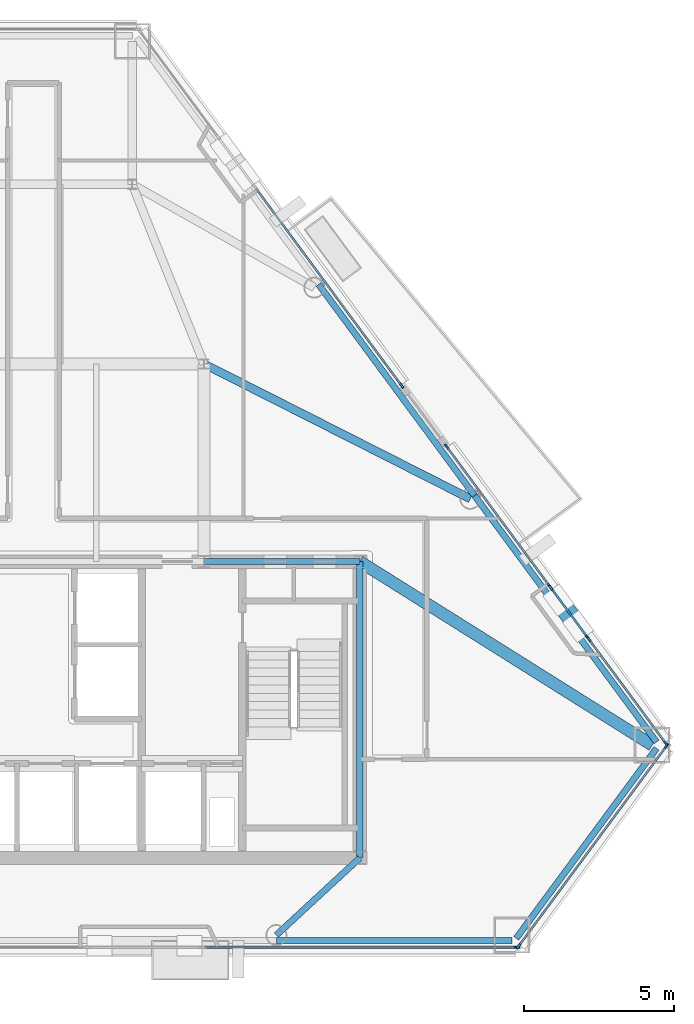
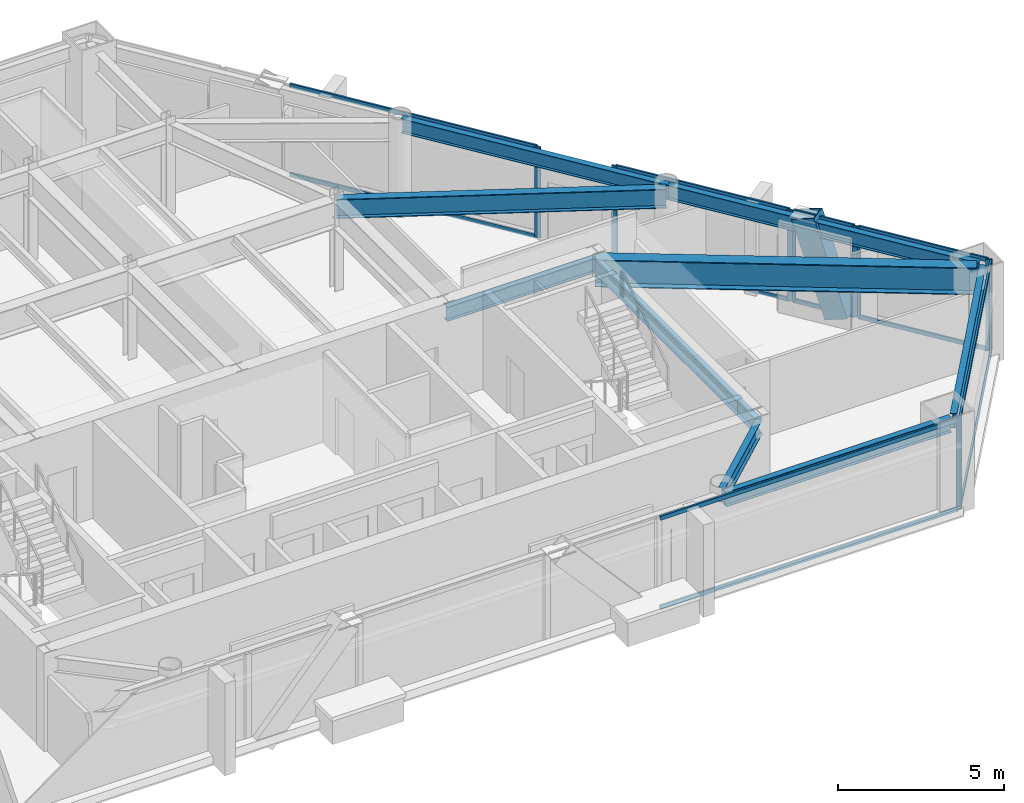
# One storey, part 5 of 11: 23 members, 9 beams, 6 elements without a shape of their own.
"""IFC4 building model written with IfcOpenShell, lengths in metres."""

from ifc_helpers import new_model, si_unit, direction, frame, origin, origin_2d, place, context, subcontext, project, spatial, rectangle, hollow_rectangle, i_section, extrude, material, layer, layer_set, material_profile, profile_set, type_object, element, aggregate, save


model = new_model("IFC4")

# Units and contexts
model_context = context("Model", 3, precision=1e-05, world=origin(), true_north=direction((0.0, 1.0)))
body_context = subcontext(model_context, "Body", "Model", "MODEL_VIEW")
ifc_project = project(units=[si_unit("LENGTHUNIT", "METRE"), si_unit("AREAUNIT", "SQUARE_METRE"), si_unit("VOLUMEUNIT", "CUBIC_METRE"), si_unit("PLANEANGLEUNIT", "RADIAN"), si_unit("MASSUNIT", "GRAM", prefix="KILO")], contexts=[model_context])

# Site, building, storey
site_placement = place(None, origin())
site = spatial("IfcSite", under=ifc_project, at=site_placement, CompositionType="ELEMENT")
building_placement = place(site_placement, origin())
building = spatial("IfcBuilding", under=site, at=building_placement, Name="Talgorran Terracotta Tower", CompositionType="ELEMENT")
storey_placement = place(building_placement, frame((0.0, 0.0, 143.699951171875)))
storey = spatial("IfcBuildingStorey", under=building, at=storey_placement, Name="L37", CompositionType="ELEMENT", Elevation=143.699951171875)

# Beams
ifc_material_1 = material(Name="Steel Grade 350 (350L0)", Category="steel")
ifc_material_profile_1 = material_profile(ifc_material_1, i_section(OverallWidth=0.39990234375, OverallDepth=1.0, WebThickness=0.01611328125, FlangeThickness=0.031005859375, at=origin_2d()), Name="1000WB296")
ifc_profile_set_1 = profile_set([ifc_material_profile_1], Name="Steel Grade 350 (350L0)")
beam_type_1 = type_object("IfcBeamType", Name="BM_1000WB296", PredefinedType="BEAM", material=ifc_profile_set_1)
beam_1_placement = place(storey_placement, frame((12.39990234375, -4.199951171875, 2.85009765625), z_axis=(0.846977550412, -0.531628657145, 0.0), x_axis=(0.531628657145, 0.846977550412, 0.0)))
element("IfcBeam", 1, at=beam_1_placement, inside=storey, type_object=beam_type_1, Name="L37 Floor Girder G18", PredefinedType="BEAM", context=body_context, shape_type="SweptSolid", body=[
    extrude(i_section(OverallWidth=0.39990234375, OverallDepth=1.0, WebThickness=0.01611328125, FlangeThickness=0.031005859375, at=origin_2d()), origin(), (0.0, 0.0, 1.0), 11.533203125),
])
ifc_material_2 = material(Name="Steel S355 (300PLUS)", Category="steel")
ifc_material_profile_2 = material_profile(ifc_material_2, i_section(OverallWidth=0.27490234375, OverallDepth=0.7080078125, WebThickness=0.011962890625, FlangeThickness=0.02490234375, at=origin_2d()), Name="700WB173")
ifc_profile_set_2 = profile_set([ifc_material_profile_2], Name="Steel S355 (300PLUS)")
beam_type_2 = type_object("IfcBeamType", Name="BM_700WB173", PredefinedType="BEAM", material=ifc_profile_set_2)
beam_2_placement = place(storey_placement, frame((7.199951171875, 2.39990234375, 2.99609375), z_axis=(0.892122666424, -0.451793258087, 0.0), x_axis=(0.451793258087, 0.892122666424, 0.0)))
element("IfcBeam", 2, at=beam_2_placement, inside=storey, type_object=beam_type_2, Name="L37 Floor Girder G07", PredefinedType="BEAM", context=body_context, shape_type="SweptSolid", body=[
    extrude(i_section(OverallWidth=0.27490234375, OverallDepth=0.7080078125, WebThickness=0.011962890625, FlangeThickness=0.02490234375, at=origin_2d()), origin(), (0.0, 0.0, 1.0), 9.966796875),
])
ifc_material_profile_3 = material_profile(ifc_material_2, i_section(OverallWidth=0.209228515625, OverallDepth=0.532958984375, WebThickness=0.01025390625, FlangeThickness=0.015625, at=origin_2d()), Name="530UB92.4")
ifc_profile_set_3 = profile_set([ifc_material_profile_3], Name="Steel S355 (300PLUS)")
beam_type_3 = type_object("IfcBeamType", Name="BM_SP_530UB92", PredefinedType="SPANDREL", material=ifc_profile_set_3)
beam_3_placement = place(storey_placement, frame((9.615966796875, -16.8544921875, 3.08349609375), z_axis=(1.0, 0.0, 0.0), x_axis=(0.0, 1.0, 0.0)))
element("IfcBeam", 3, at=beam_3_placement, inside=storey, type_object=beam_type_3, Name="L37 Perimeter Spandrel Beam FC2-MC3", PredefinedType="SPANDREL", context=body_context, shape_type="SweptSolid", body=[
    extrude(i_section(OverallWidth=0.209228515625, OverallDepth=0.532958984375, WebThickness=0.01025390625, FlangeThickness=0.015625, at=origin_2d()), origin(), (0.0, 0.0, 1.0), 7.86767578125),
])
beam_4_placement = place(storey_placement, frame((17.62841796875, -16.78125, 3.08349609375), z_axis=(0.594068918856, 0.804414146848, 0.0), x_axis=(-0.804414146848, 0.594068918856, 0.0)))
element("IfcBeam", 4, at=beam_4_placement, inside=storey, type_object=beam_type_3, Name="L37 Perimeter Spandrel Beam MC3-MC4", PredefinedType="SPANDREL", context=body_context, shape_type="SweptSolid", body=[
    extrude(i_section(OverallWidth=0.209228515625, OverallDepth=0.532958984375, WebThickness=0.01025390625, FlangeThickness=0.015625, at=origin_2d()), origin(), (0.0, 0.0, 1.0), 7.885498046875),
])
beam_5_placement = place(storey_placement, frame((22.31298828125, -10.224365234375, 3.08349609375), z_axis=(-0.594068215055, 0.804414666613, 0.0), x_axis=(-0.804414666613, -0.594068215055, 0.0)))
element("IfcBeam", 5, at=beam_5_placement, inside=storey, type_object=beam_type_3, Name="L37 Perimeter Spandrel Beam MC4-FC3", PredefinedType="SPANDREL", context=body_context, shape_type="SweptSolid", body=[
    extrude(i_section(OverallWidth=0.209228515625, OverallDepth=0.532958984375, WebThickness=0.01025390625, FlangeThickness=0.015625, at=origin_2d()), origin(), (0.0, 0.0, 1.0), 10.22900390625),
])
beam_6_placement = place(storey_placement, frame((16.236328125, -1.99609375, 3.08349609375), z_axis=(-0.594084887131, 0.804402353852, 0.0), x_axis=(-0.804402353852, -0.594084887131, 0.0)))
element("IfcBeam", 6, at=beam_6_placement, inside=storey, type_object=beam_type_3, Name="L37 Perimeter Spandrel Beam FC3-FC4", PredefinedType="SPANDREL", context=body_context, shape_type="SweptSolid", body=[
    extrude(i_section(OverallWidth=0.209228515625, OverallDepth=0.532958984375, WebThickness=0.01025390625, FlangeThickness=0.015625, at=origin_2d()), origin(), (0.0, 0.0, 1.0), 8.767578125),
])
beam_7_placement = place(storey_placement, frame((12.39990234375, -14.10009765625, 3.08349609375), z_axis=(-0.734220592544, -0.678910982003, 0.0), x_axis=(0.678910982003, -0.734220592544, 0.0)))
element("IfcBeam", 7, at=beam_7_placement, inside=storey, type_object=beam_type_3, Name="L37 South-East Core Tie Beam", PredefinedType="SPANDREL", context=body_context, shape_type="SweptSolid", body=[
    extrude(i_section(OverallWidth=0.209228515625, OverallDepth=0.532958984375, WebThickness=0.01025390625, FlangeThickness=0.015625, at=origin_2d()), origin(), (0.0, 0.0, 1.0), 3.791748046875),
])
beam_8_placement = place(storey_placement, frame((12.39990234375, -14.10009765625, 3.08349609375), z_axis=(0.0, 1.0, 0.0), x_axis=(-1.0, 0.0, 0.0)))
element("IfcBeam", 8, at=beam_8_placement, inside=storey, type_object=beam_type_3, Name="L37 Core Frame Beam CFE", PredefinedType="SPANDREL", context=body_context, shape_type="SweptSolid", body=[
    extrude(i_section(OverallWidth=0.209228515625, OverallDepth=0.532958984375, WebThickness=0.01025390625, FlangeThickness=0.015625, at=origin_2d()), origin(), (0.0, 0.0, 1.0), 9.900146484375),
])
beam_9_placement = place(storey_placement, frame((7.199951171875, -4.199951171875, 3.08349609375), z_axis=(1.0, 0.0, 0.0), x_axis=(0.0, 1.0, 0.0)))
element("IfcBeam", 9, at=beam_9_placement, inside=storey, type_object=beam_type_3, Name="L37 Core Frame Beam CFN4", PredefinedType="SPANDREL", context=body_context, shape_type="SweptSolid", body=[
    extrude(i_section(OverallWidth=0.209228515625, OverallDepth=0.532958984375, WebThickness=0.01025390625, FlangeThickness=0.015625, at=origin_2d()), origin(), (0.0, 0.0, 1.0), 5.199951171875),
])

# Member
ifc_material_profile_4 = material_profile(ifc_material_1, hollow_rectangle(XDim=0.6201171875, YDim=0.780029296875, WallThickness=0.0419921875, at=origin_2d()), Name="WBOX780X620X42")
ifc_profile_set_4 = profile_set([ifc_material_profile_4], Name="Steel Grade 350 (350L0)")
member_type_1 = type_object("IfcMemberType", Name="MB_MEGA_780", PredefinedType="BRACE", material=ifc_profile_set_4)
member_1_placement = place(storey_placement, frame((19.689697265625, -6.368896484375, -0.02490234375), z_axis=(-0.182587728197, 0.247163103626, 0.951615532512), x_axis=(-0.804328623679, -0.59418470624, 0.0)))
element("IfcMember", 10, at=member_1_placement, inside=storey, type_object=member_type_1, Name="L37 Exterior Face Mega-Brace MB-2 (NEL)", PredefinedType="BRACE", context=body_context, shape_type="SweptSolid", body=[
    extrude(hollow_rectangle(XDim=0.6201171875, YDim=0.780029296875, WallThickness=0.0419921875, at=origin_2d()), origin(), (0.0, 0.0, 1.0), 3.57275390625),
])

# Curtain wall, member
ifc_material_3 = material(Name="Unitised Low-E Double Glazing", Category="glass")
ifc_layer = layer(ifc_material_3, 0.199951171875, Name="CW_SYS2_RES_LOW")
ifc_layer_set = layer_set([ifc_layer], Name="Unitised Low-E Double Glazing")
curtain_wall_type = type_object("IfcCurtainWallType", Name="CW_SYS2_RES_LOW", PredefinedType="NOTDEFINED", material=ifc_layer_set)
curtain_wall_1_placement = place(storey_placement, origin())
curtain_wall_1 = element("IfcCurtainWall", 11, at=curtain_wall_1_placement, inside=storey, type_object=curtain_wall_type, Name="CW-L37-F1E", PredefinedType="NOTDEFINED")
ifc_material_4 = material(Name="Architectural Aluminium 6063-T6", Category="aluminium")
ifc_material_profile_5 = material_profile(ifc_material_4, rectangle(XDim=0.06494140625, YDim=0.18505859375, at=origin_2d()), Name="CWM65X185")
ifc_profile_set_5 = profile_set([ifc_material_profile_5], Name="Architectural Aluminium 6063-T6")
member_type_2 = type_object("IfcMemberType", Name="MUL_65X185", PredefinedType="MULLION", material=ifc_profile_set_5)
member_2_placement = place(storey_placement, frame((17.65283203125, -17.074462890625, 0.0), z_axis=(0.0, 0.0, 1.0), x_axis=(0.0, 1.0, 0.0)))
member_2 = element("IfcMember", 12, at=member_2_placement, type_object=member_type_2, Name="CW-L37-1E mullion 2", PredefinedType="MULLION", context=body_context, shape_type="SweptSolid", body=[
    extrude(rectangle(XDim=0.06494140625, YDim=0.18505859375, at=origin_2d()), origin(), (0.0, 0.0, 1.0), 3.35009765625),
])

# Curtain wall, members
curtain_wall_2_placement = place(storey_placement, origin())
curtain_wall_2 = element("IfcCurtainWall", 13, at=curtain_wall_2_placement, inside=storey, type_object=curtain_wall_type, Name="CW-L37-F2", PredefinedType="NOTDEFINED")
member_3_placement = place(storey_placement, frame((17.70458984375, -17.04833984375, 0.0), z_axis=(0.0, 0.0, 1.0), x_axis=(-0.804404412487, 0.594082099689, 0.0)))
member_3 = element("IfcMember", 14, at=member_3_placement, type_object=member_type_2, Name="CW-L37-2 mullion 1", PredefinedType="MULLION", context=body_context, shape_type="SweptSolid", body=[
    extrude(rectangle(XDim=0.06494140625, YDim=0.18505859375, at=origin_2d()), origin(), (0.0, 0.0, 1.0), 3.35009765625),
])
member_4_placement = place(storey_placement, frame((22.646240234375, -10.357421875, 0.0), z_axis=(0.0, 0.0, 1.0), x_axis=(-0.804404412487, 0.594082099689, 0.0)))
member_4 = element("IfcMember", 15, at=member_4_placement, type_object=member_type_2, Name="CW-L37-2 mullion 2", PredefinedType="MULLION", context=body_context, shape_type="SweptSolid", body=[
    extrude(rectangle(XDim=0.06494140625, YDim=0.18505859375, at=origin_2d()), origin(), (0.0, 0.0, 1.0), 3.35009765625),
])

curtain_wall_3_placement = place(storey_placement, origin())
curtain_wall_3 = element("IfcCurtainWall", 16, at=curtain_wall_3_placement, inside=storey, type_object=curtain_wall_type, Name="CW-L37-F40", PredefinedType="NOTDEFINED")
member_5_placement = place(storey_placement, frame((22.622314453125, -10.27294921875, 0.0), z_axis=(0.0, 0.0, 1.0), x_axis=(-0.804412831004, -0.594070700604, 0.0)))
member_5 = element("IfcMember", 17, at=member_5_placement, type_object=member_type_2, Name="CW-L37-40 mullion 1", PredefinedType="MULLION", context=body_context, shape_type="SweptSolid", body=[
    extrude(rectangle(XDim=0.06494140625, YDim=0.18505859375, at=origin_2d()), origin(), (0.0, 0.0, 1.0), 3.35009765625),
])
member_6_placement = place(storey_placement, frame((20.0537109375, -6.79443359375, 0.0), z_axis=(0.0, 0.0, 1.0), x_axis=(-0.804412831004, -0.594070700604, 0.0)))
member_6 = element("IfcMember", 18, at=member_6_placement, type_object=member_type_2, Name="CW-L37-40 mullion 2", PredefinedType="MULLION", context=body_context, shape_type="SweptSolid", body=[
    extrude(rectangle(XDim=0.06494140625, YDim=0.18505859375, at=origin_2d()), origin(), (0.0, 0.0, 1.0), 3.35009765625),
])

curtain_wall_4_placement = place(storey_placement, origin())
curtain_wall_4 = element("IfcCurtainWall", 19, at=curtain_wall_4_placement, inside=storey, type_object=curtain_wall_type, Name="CW-L37-F40B", PredefinedType="NOTDEFINED")
member_7_placement = place(storey_placement, frame((20.009033203125, -6.734375, 0.0), z_axis=(0.0, 0.0, 1.0), x_axis=(-0.804417046158, -0.594064992951, 0.0)))
member_7 = element("IfcMember", 20, at=member_7_placement, type_object=member_type_2, Name="CW-L37-40B mullion 1", PredefinedType="MULLION", context=body_context, shape_type="SweptSolid", body=[
    extrude(rectangle(XDim=0.06494140625, YDim=0.18505859375, at=origin_2d()), origin(), (0.0, 0.0, 1.0), 3.35009765625),
])
member_8_placement = place(storey_placement, frame((18.7822265625, -5.072998046875, 0.0), z_axis=(0.0, 0.0, 1.0), x_axis=(-0.804417046158, -0.594064992951, 0.0)))
member_8 = element("IfcMember", 21, at=member_8_placement, type_object=member_type_2, Name="CW-L37-40B mullion 2", PredefinedType="MULLION", context=body_context, shape_type="SweptSolid", body=[
    extrude(rectangle(XDim=0.06494140625, YDim=0.18505859375, at=origin_2d()), origin(), (0.0, 0.0, 1.0), 3.35009765625),
])

curtain_wall_5_placement = place(storey_placement, origin())
curtain_wall_5 = element("IfcCurtainWall", 22, at=curtain_wall_5_placement, inside=storey, type_object=curtain_wall_type, Name="CW-L37-F40C", PredefinedType="NOTDEFINED")
member_9_placement = place(storey_placement, frame((18.737548828125, -5.0126953125, 0.0), z_axis=(0.0, 0.0, 1.0), x_axis=(-0.804408011589, -0.594077226369, 0.0)))
member_9 = element("IfcMember", 23, at=member_9_placement, type_object=member_type_2, Name="CW-L37-40C mullion 1", PredefinedType="MULLION", context=body_context, shape_type="SweptSolid", body=[
    extrude(rectangle(XDim=0.06494140625, YDim=0.18505859375, at=origin_2d()), origin(), (0.0, 0.0, 1.0), 3.35009765625),
])
member_10_placement = place(storey_placement, frame((15.300048828125, -0.358154296875, 0.0), z_axis=(0.0, 0.0, 1.0), x_axis=(-0.804408011589, -0.594077226369, 0.0)))
member_10 = element("IfcMember", 24, at=member_10_placement, type_object=member_type_2, Name="CW-L37-40C mullion 2", PredefinedType="MULLION", context=body_context, shape_type="SweptSolid", body=[
    extrude(rectangle(XDim=0.06494140625, YDim=0.18505859375, at=origin_2d()), origin(), (0.0, 0.0, 1.0), 3.35009765625),
])

# Curtain wall, member
curtain_wall_6_placement = place(storey_placement, origin())
curtain_wall_6 = element("IfcCurtainWall", 25, at=curtain_wall_6_placement, inside=storey, type_object=curtain_wall_type, Name="CW-L37-F41", PredefinedType="NOTDEFINED")
member_11_placement = place(storey_placement, frame((13.800048828125, 1.6728515625, 0.0), z_axis=(0.0, 0.0, 1.0), x_axis=(-0.804413779533, -0.594069416228, 0.0)))
member_11 = element("IfcMember", 26, at=member_11_placement, type_object=member_type_2, Name="CW-L37-41 mullion 1", PredefinedType="MULLION", context=body_context, shape_type="SweptSolid", body=[
    extrude(rectangle(XDim=0.06494140625, YDim=0.18505859375, at=origin_2d()), origin(), (0.0, 0.0, 1.0), 3.35009765625),
])

# Member
ifc_material_profile_6 = material_profile(ifc_material_4, rectangle(XDim=0.06494140625, YDim=0.14990234375, at=origin_2d()), Name="CWT65X150")
ifc_profile_set_6 = profile_set([ifc_material_profile_6], Name="Architectural Aluminium 6063-T6")
member_type_3 = type_object("IfcMemberType", Name="TRN_65X150", PredefinedType="USERDEFINED", material=ifc_profile_set_6)
member_12_placement = place(storey_placement, frame((7.22509765625, -17.074462890625, 0.032470703125), z_axis=(1.0, 0.0, 0.0), x_axis=(0.0, 1.0, 0.0)))
member_12 = element("IfcMember", 27, at=member_12_placement, type_object=member_type_3, Name="CW-L37-1E transom 1.1", ObjectType="TRANSOM", PredefinedType="USERDEFINED", context=body_context, shape_type="SweptSolid", body=[
    extrude(rectangle(XDim=0.06494140625, YDim=0.14990234375, at=origin_2d()), origin(), (0.0, 0.0, 1.0), 10.395263671875),
])

member_13_placement = place(storey_placement, frame((7.22509765625, -17.074462890625, 3.317626953125), z_axis=(1.0, 0.0, 0.0), x_axis=(0.0, 1.0, 0.0)))
member_13 = element("IfcMember", 28, at=member_13_placement, type_object=member_type_3, Name="CW-L37-1E transom 1.2", ObjectType="TRANSOM", PredefinedType="USERDEFINED", context=body_context, shape_type="SweptSolid", body=[
    extrude(rectangle(XDim=0.06494140625, YDim=0.14990234375, at=origin_2d()), origin(), (0.0, 0.0, 1.0), 10.395263671875),
])

aggregate(curtain_wall_1, [member_2, member_12, member_13])

member_14_placement = place(storey_placement, frame((17.72412109375, -17.022216796875, 0.032470703125), z_axis=(0.594076601696, 0.804408472927, 0.0), x_axis=(-0.804408472927, 0.594076601696, 0.0)))
member_14 = element("IfcMember", 29, at=member_14_placement, type_object=member_type_3, Name="CW-L37-2 transom 1.1", ObjectType="TRANSOM", PredefinedType="USERDEFINED", context=body_context, shape_type="SweptSolid", body=[
    extrude(rectangle(XDim=0.06494140625, YDim=0.14990234375, at=origin_2d()), origin(), (0.0, 0.0, 1.0), 8.2529296875),
])

member_15_placement = place(storey_placement, frame((17.72412109375, -17.022216796875, 3.317626953125), z_axis=(0.594076601696, 0.804408472927, 0.0), x_axis=(-0.804408472927, 0.594076601696, 0.0)))
member_15 = element("IfcMember", 30, at=member_15_placement, type_object=member_type_3, Name="CW-L37-2 transom 1.2", ObjectType="TRANSOM", PredefinedType="USERDEFINED", context=body_context, shape_type="SweptSolid", body=[
    extrude(rectangle(XDim=0.06494140625, YDim=0.14990234375, at=origin_2d()), origin(), (0.0, 0.0, 1.0), 8.2529296875),
])

aggregate(curtain_wall_2, [member_3, member_4, member_14, member_15])

member_16_placement = place(storey_placement, frame((22.60302734375, -10.246826171875, 0.032470703125), z_axis=(-0.594049305531, 0.804428631141, 0.0), x_axis=(-0.804428631141, -0.594049305531, 0.0)))
member_16 = element("IfcMember", 31, at=member_16_placement, type_object=member_type_3, Name="CW-L37-40 transom 1.1", ObjectType="TRANSOM", PredefinedType="USERDEFINED", context=body_context, shape_type="SweptSolid", body=[
    extrude(rectangle(XDim=0.06494140625, YDim=0.14990234375, at=origin_2d()), origin(), (0.0, 0.0, 1.0), 4.259033203125),
])

member_17_placement = place(storey_placement, frame((22.60302734375, -10.246826171875, 3.317626953125), z_axis=(-0.594049305531, 0.804428631141, 0.0), x_axis=(-0.804428631141, -0.594049305531, 0.0)))
member_17 = element("IfcMember", 32, at=member_17_placement, type_object=member_type_3, Name="CW-L37-40 transom 1.2", ObjectType="TRANSOM", PredefinedType="USERDEFINED", context=body_context, shape_type="SweptSolid", body=[
    extrude(rectangle(XDim=0.06494140625, YDim=0.14990234375, at=origin_2d()), origin(), (0.0, 0.0, 1.0), 4.259033203125),
])

aggregate(curtain_wall_3, [member_5, member_6, member_16, member_17])

member_18_placement = place(storey_placement, frame((19.98974609375, -6.7080078125, 0.032470703125), z_axis=(-0.594085559723, 0.804401857114, 0.0), x_axis=(-0.804401857114, -0.594085559723, 0.0)))
member_18 = element("IfcMember", 33, at=member_18_placement, type_object=member_type_3, Name="CW-L37-40B transom 1.1", ObjectType="TRANSOM", PredefinedType="USERDEFINED", context=body_context, shape_type="SweptSolid", body=[
    extrude(rectangle(XDim=0.06494140625, YDim=0.14990234375, at=origin_2d()), origin(), (0.0, 0.0, 1.0), 2.0),
])

member_19_placement = place(storey_placement, frame((19.98974609375, -6.7080078125, 3.317626953125), z_axis=(-0.594085559723, 0.804401857114, 0.0), x_axis=(-0.804401857114, -0.594085559723, 0.0)))
member_19 = element("IfcMember", 34, at=member_19_placement, type_object=member_type_3, Name="CW-L37-40B transom 1.2", ObjectType="TRANSOM", PredefinedType="USERDEFINED", context=body_context, shape_type="SweptSolid", body=[
    extrude(rectangle(XDim=0.06494140625, YDim=0.14990234375, at=origin_2d()), origin(), (0.0, 0.0, 1.0), 2.0),
])

aggregate(curtain_wall_4, [member_7, member_8, member_18, member_19])

member_20_placement = place(storey_placement, frame((18.71826171875, -4.986572265625, 0.032470703125), z_axis=(-0.594077862871, 0.804407541515, 0.0), x_axis=(-0.804407541515, -0.594077862871, 0.0)))
member_20 = element("IfcMember", 35, at=member_20_placement, type_object=member_type_3, Name="CW-L37-40C transom 1.1", ObjectType="TRANSOM", PredefinedType="USERDEFINED", context=body_context, shape_type="SweptSolid", body=[
    extrude(rectangle(XDim=0.06494140625, YDim=0.14990234375, at=origin_2d()), origin(), (0.0, 0.0, 1.0), 5.721435546875),
])

member_21_placement = place(storey_placement, frame((18.71826171875, -4.986572265625, 3.317626953125), z_axis=(-0.594077862871, 0.804407541515, 0.0), x_axis=(-0.804407541515, -0.594077862871, 0.0)))
member_21 = element("IfcMember", 36, at=member_21_placement, type_object=member_type_3, Name="CW-L37-40C transom 1.2", ObjectType="TRANSOM", PredefinedType="USERDEFINED", context=body_context, shape_type="SweptSolid", body=[
    extrude(rectangle(XDim=0.06494140625, YDim=0.14990234375, at=origin_2d()), origin(), (0.0, 0.0, 1.0), 5.721435546875),
])

aggregate(curtain_wall_5, [member_9, member_10, member_20, member_21])

member_22_placement = place(storey_placement, frame((13.78076171875, 1.698974609375, 0.032470703125), z_axis=(-0.594060960518, 0.80442002411, 0.0), x_axis=(-0.80442002411, -0.594060960518, 0.0)))
member_22 = element("IfcMember", 37, at=member_22_placement, type_object=member_type_3, Name="CW-L37-41 transom 1.1", ObjectType="TRANSOM", PredefinedType="USERDEFINED", context=body_context, shape_type="SweptSolid", body=[
    extrude(rectangle(XDim=0.06494140625, YDim=0.14990234375, at=origin_2d()), origin(), (0.0, 0.0, 1.0), 8.13232421875),
])

member_23_placement = place(storey_placement, frame((13.78076171875, 1.698974609375, 3.317626953125), z_axis=(-0.594060960518, 0.80442002411, 0.0), x_axis=(-0.80442002411, -0.594060960518, 0.0)))
member_23 = element("IfcMember", 38, at=member_23_placement, type_object=member_type_3, Name="CW-L37-41 transom 1.2", ObjectType="TRANSOM", PredefinedType="USERDEFINED", context=body_context, shape_type="SweptSolid", body=[
    extrude(rectangle(XDim=0.06494140625, YDim=0.14990234375, at=origin_2d()), origin(), (0.0, 0.0, 1.0), 8.13232421875),
])

aggregate(curtain_wall_6, [member_11, member_22, member_23])

save(model, "model.ifc")
